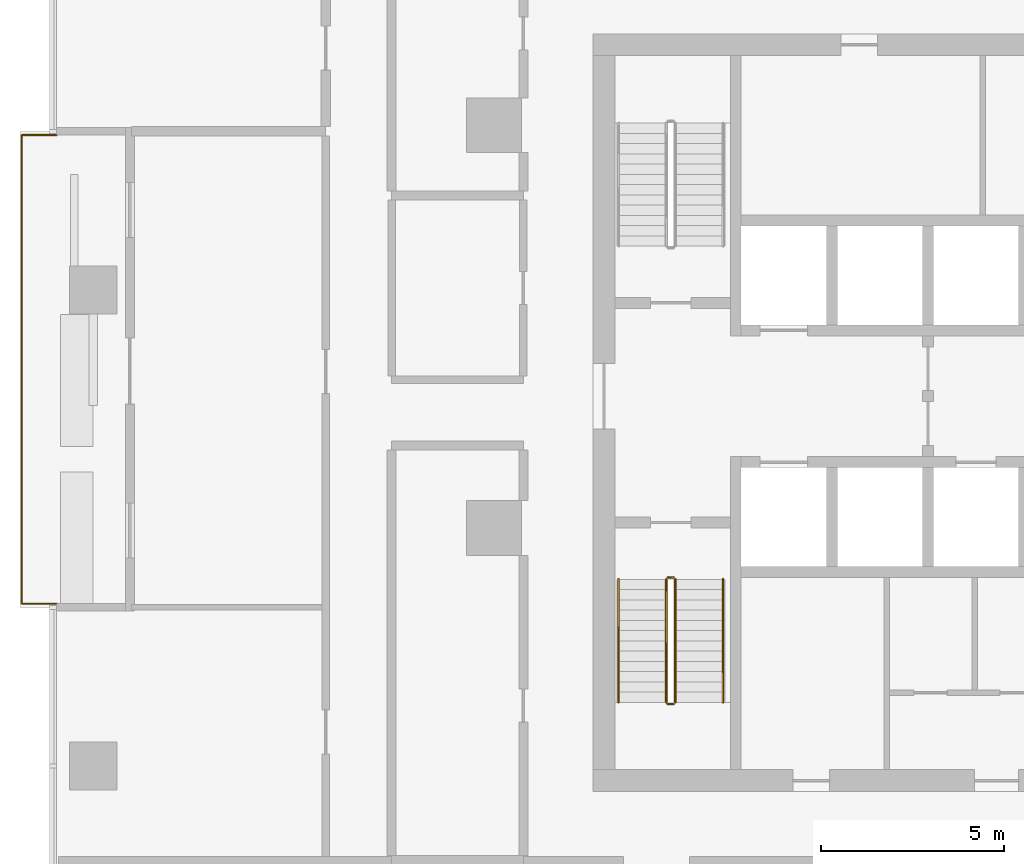
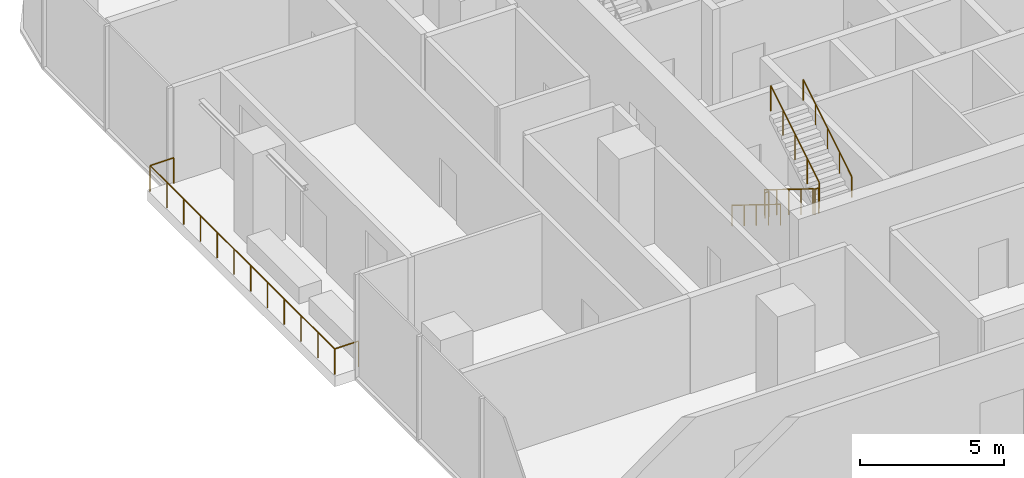
# One storey, part 12 of 15: 6 railings.
"""IFC4 building model written with IfcOpenShell, lengths in metres."""

from ifc_helpers import new_model, si_unit, direction, frame, origin, origin_2d, place, context, subcontext, project, spatial, circle, extrude, material, type_object, element, save


model = new_model("IFC4")

# Units and contexts
model_context = context("Model", 3, precision=1e-05, world=origin(), true_north=direction((0.0, 1.0)))
body_context = subcontext(model_context, "Body", "Model", "MODEL_VIEW")
ifc_project = project(units=[si_unit("LENGTHUNIT", "METRE"), si_unit("AREAUNIT", "SQUARE_METRE"), si_unit("VOLUMEUNIT", "CUBIC_METRE"), si_unit("PLANEANGLEUNIT", "RADIAN"), si_unit("MASSUNIT", "GRAM", prefix="KILO")], contexts=[model_context])

# Site, building, storey
site_placement = place(None, origin())
site = spatial("IfcSite", under=ifc_project, at=site_placement, CompositionType="ELEMENT")
building_placement = place(site_placement, origin())
building = spatial("IfcBuilding", under=site, at=building_placement, Name="Mopane Tessera Tower", CompositionType="ELEMENT")
storey_placement = place(building_placement, frame((0.0, 0.0, 103.60009765625)))
storey = spatial("IfcBuildingStorey", under=building, at=storey_placement, Name="L20", CompositionType="ELEMENT", Elevation=103.60009765625)

# Railings
ifc_material_1 = material(Name="Powder-coated steel balustrade", Category="steel")
railing_type_1 = type_object("IfcRailingType", Name="Escape stair guard 1100 mm", PredefinedType="GUARDRAIL", material=ifc_material_1)
railing_1_placement = place(storey_placement, frame((-12.39990234375, -1.39990234375, 0.173095703125)))
element("IfcRailing", 1, at=railing_1_placement, inside=storey, type_object=railing_type_1, Name="L20 ST1 stair guard 1", PredefinedType="GUARDRAIL", context=body_context, shape_type="SweptSolid", body=[
    extrude(circle(Radius=0.02392578125, at=origin_2d()), frame((0.0, 0.0, 1.076171875), z_axis=(0.0, -0.850623216509, 0.525775754039), x_axis=(1.0, 0.0, 0.0)), (0.0, 0.0, 1.0), 3.9501953125),
    extrude(circle(Radius=0.02392578125, at=origin_2d()), frame((0.0, -3.360107421875, 3.15283203125), z_axis=(0.705375805398, -0.708833529934, 0.0), x_axis=(0.708833529934, 0.705375805398, 0.0)), (0.0, 0.0, 1.0), 0.070556640625),
    extrude(circle(Radius=0.02392578125, at=origin_2d()), frame((0.0498046875, -3.41015625, 3.15283203125), z_axis=(1.0, 0.0, 0.0), x_axis=(0.0, 1.0, 0.0)), (0.0, 0.0, 1.0), 0.150146484375),
    extrude(circle(Radius=0.02099609375, at=origin_2d()), origin(), (0.0, 0.0, 1.0), 1.052001953125),
    extrude(circle(Radius=0.02099609375, at=origin_2d()), frame((0.0, -0.840087890625, 0.519287109375)), (0.0, 0.0, 1.0), 1.052001953125),
    extrude(circle(Radius=0.02099609375, at=origin_2d()), frame((0.0, -1.68017578125, 1.03857421875)), (0.0, 0.0, 1.0), 1.052001953125),
    extrude(circle(Radius=0.02099609375, at=origin_2d()), frame((0.0, -2.52001953125, 1.5576171875)), (0.0, 0.0, 1.0), 1.052001953125),
    extrude(circle(Radius=0.02099609375, at=origin_2d()), frame((0.0, -3.360107421875, 2.076904296875)), (0.0, 0.0, 1.0), 1.052001953125),
    extrude(circle(Radius=0.02099609375, at=origin_2d()), frame((0.0498046875, -3.41015625, 2.076904296875)), (0.0, 0.0, 1.0), 1.052001953125),
    extrude(circle(Radius=0.02099609375, at=origin_2d()), frame((0.199951171875, -3.41015625, 2.076904296875)), (0.0, 0.0, 1.0), 1.052001953125),
])
railing_2_placement = place(storey_placement, frame((-12.14990234375, -4.760009765625, 2.423095703125)))
element("IfcRailing", 2, at=railing_2_placement, inside=storey, type_object=railing_type_1, Name="L20 ST1 stair guard 2", PredefinedType="GUARDRAIL", context=body_context, shape_type="SweptSolid", body=[
    extrude(circle(Radius=0.02392578125, at=origin_2d()), frame((0.0, 0.0, 1.076171875), z_axis=(0.0, 0.850623216509, 0.525775754039), x_axis=(-1.0, 0.0, 0.0)), (0.0, 0.0, 1.0), 3.9501953125),
    extrude(circle(Radius=0.02099609375, at=origin_2d()), origin(), (0.0, 0.0, 1.0), 1.052001953125),
    extrude(circle(Radius=0.02099609375, at=origin_2d()), frame((0.0, 0.840087890625, 0.519287109375)), (0.0, 0.0, 1.0), 1.052001953125),
    extrude(circle(Radius=0.02099609375, at=origin_2d()), frame((0.0, 1.68017578125, 1.03857421875)), (0.0, 0.0, 1.0), 1.052001953125),
    extrude(circle(Radius=0.02099609375, at=origin_2d()), frame((0.0, 2.52001953125, 1.5576171875)), (0.0, 0.0, 1.0), 1.052001953125),
    extrude(circle(Radius=0.02099609375, at=origin_2d()), frame((0.0, 3.360107421875, 2.076904296875)), (0.0, 0.0, 1.0), 1.052001953125),
])
railing_3_placement = place(storey_placement, frame((-12.35009765625, -1.35009765625, 0.0)))
element("IfcRailing", 3, at=railing_3_placement, inside=storey, type_object=railing_type_1, Name="L20 ST1 stair guard 3", PredefinedType="GUARDRAIL", context=body_context, shape_type="SweptSolid", body=[
    extrude(circle(Radius=0.02392578125, at=origin_2d()), frame((0.0, 0.0, 1.076171875), z_axis=(1.0, 0.0, 0.0), x_axis=(0.0, 1.0, 0.0)), (0.0, 0.0, 1.0), 0.150146484375),
    extrude(circle(Radius=0.02099609375, at=origin_2d()), origin(), (0.0, 0.0, 1.0), 1.052001953125),
    extrude(circle(Radius=0.02099609375, at=origin_2d()), frame((0.150146484375, 0.0, 0.0)), (0.0, 0.0, 1.0), 1.052001953125),
])
ifc_material_2 = material(Name="Powder-coated steel balustrade", Category="steel")
railing_type_2 = type_object("IfcRailingType", Name="Escape stair handrail 900 mm", PredefinedType="HANDRAIL", material=ifc_material_2)
railing_4_placement = place(storey_placement, frame((-13.699951171875, -1.39990234375, 0.173095703125)))
element("IfcRailing", 4, at=railing_4_placement, inside=storey, type_object=railing_type_2, Name="L20 ST1 stair handrail 1", PredefinedType="HANDRAIL", context=body_context, shape_type="SweptSolid", body=[
    extrude(circle(Radius=0.02392578125, at=origin_2d()), frame((0.0, 0.0, 0.8759765625), z_axis=(0.0, -0.850623216509, 0.525775754039), x_axis=(1.0, 0.0, 0.0)), (0.0, 0.0, 1.0), 3.9501953125),
    extrude(circle(Radius=0.02099609375, at=origin_2d()), origin(), (0.0, 0.0, 1.0), 0.851806640625),
    extrude(circle(Radius=0.02099609375, at=origin_2d()), frame((0.0, -0.840087890625, 0.519287109375)), (0.0, 0.0, 1.0), 0.851806640625),
    extrude(circle(Radius=0.02099609375, at=origin_2d()), frame((0.0, -1.68017578125, 1.03857421875)), (0.0, 0.0, 1.0), 0.851806640625),
    extrude(circle(Radius=0.02099609375, at=origin_2d()), frame((0.0, -2.52001953125, 1.5576171875)), (0.0, 0.0, 1.0), 0.851806640625),
    extrude(circle(Radius=0.02099609375, at=origin_2d()), frame((0.0, -3.360107421875, 2.076904296875)), (0.0, 0.0, 1.0), 0.851806640625),
])
railing_5_placement = place(storey_placement, frame((-10.85009765625, -4.760009765625, 2.423095703125)))
element("IfcRailing", 5, at=railing_5_placement, inside=storey, type_object=railing_type_2, Name="L20 ST1 stair handrail 2", PredefinedType="HANDRAIL", context=body_context, shape_type="SweptSolid", body=[
    extrude(circle(Radius=0.02392578125, at=origin_2d()), frame((0.0, 0.0, 0.8759765625), z_axis=(0.0, 0.850623216509, 0.525775754039), x_axis=(-1.0, 0.0, 0.0)), (0.0, 0.0, 1.0), 3.9501953125),
    extrude(circle(Radius=0.02099609375, at=origin_2d()), origin(), (0.0, 0.0, 1.0), 0.851806640625),
    extrude(circle(Radius=0.02099609375, at=origin_2d()), frame((0.0, 0.840087890625, 0.519287109375)), (0.0, 0.0, 1.0), 0.851806640625),
    extrude(circle(Radius=0.02099609375, at=origin_2d()), frame((0.0, 1.68017578125, 1.03857421875)), (0.0, 0.0, 1.0), 0.851806640625),
    extrude(circle(Radius=0.02099609375, at=origin_2d()), frame((0.0, 2.52001953125, 1.5576171875)), (0.0, 0.0, 1.0), 0.851806640625),
    extrude(circle(Radius=0.02099609375, at=origin_2d()), frame((0.0, 3.360107421875, 2.076904296875)), (0.0, 0.0, 1.0), 0.851806640625),
])
ifc_material_3 = material(Name="Stainless steel S316", Category="steel")
railing_type_3 = type_object("IfcRailingType", Name="Terrace guard 1100", PredefinedType="GUARDRAIL", material=ifc_material_3)
railing_6_placement = place(storey_placement, frame((-29.050048828125, 10.7333984375, 0.0)))
element("IfcRailing", 6, at=railing_6_placement, inside=storey, type_object=railing_type_3, Name="e:nw:L20:N2:guard", PredefinedType="GUARDRAIL", context=body_context, shape_type="SweptSolid", body=[
    extrude(circle(Radius=0.02392578125, at=origin_2d()), frame((0.0, 0.0, 1.076171875), z_axis=(-1.0, 0.0, 0.0), x_axis=(0.0, -1.0, 0.0)), (0.0, 0.0, 1.0), 0.949951171875),
    extrude(circle(Radius=0.02392578125, at=origin_2d()), frame((-0.949951171875, 0.0, 1.076171875), z_axis=(0.0, -1.0, 0.0), x_axis=(1.0, 0.0, 0.0)), (0.0, 0.0, 1.0), 12.800048828125),
    extrude(circle(Radius=0.02392578125, at=origin_2d()), frame((-0.949951171875, -12.800048828125, 1.076171875), z_axis=(1.0, 0.0, 0.0), x_axis=(0.0, 1.0, 0.0)), (0.0, 0.0, 1.0), 0.949951171875),
    extrude(circle(Radius=0.02099609375, at=origin_2d()), origin(), (0.0, 0.0, 1.0), 1.052001953125),
    extrude(circle(Radius=0.02099609375, at=origin_2d()), frame((-0.949951171875, 0.0, 0.0)), (0.0, 0.0, 1.0), 1.052001953125),
    extrude(circle(Radius=0.02099609375, at=origin_2d()), frame((-0.949951171875, -1.16357421875, 0.0)), (0.0, 0.0, 1.0), 1.052001953125),
    extrude(circle(Radius=0.02099609375, at=origin_2d()), frame((-0.949951171875, -2.327392578125, 0.0)), (0.0, 0.0, 1.0), 1.052001953125),
    extrude(circle(Radius=0.02099609375, at=origin_2d()), frame((-0.949951171875, -3.490966796875, 0.0)), (0.0, 0.0, 1.0), 1.052001953125),
    extrude(circle(Radius=0.02099609375, at=origin_2d()), frame((-0.949951171875, -4.654541015625, 0.0)), (0.0, 0.0, 1.0), 1.052001953125),
    extrude(circle(Radius=0.02099609375, at=origin_2d()), frame((-0.949951171875, -5.818115234375, 0.0)), (0.0, 0.0, 1.0), 1.052001953125),
    extrude(circle(Radius=0.02099609375, at=origin_2d()), frame((-0.949951171875, -6.98193359375, 0.0)), (0.0, 0.0, 1.0), 1.052001953125),
    extrude(circle(Radius=0.02099609375, at=origin_2d()), frame((-0.949951171875, -8.1455078125, 0.0)), (0.0, 0.0, 1.0), 1.052001953125),
    extrude(circle(Radius=0.02099609375, at=origin_2d()), frame((-0.949951171875, -9.30908203125, 0.0)), (0.0, 0.0, 1.0), 1.052001953125),
    extrude(circle(Radius=0.02099609375, at=origin_2d()), frame((-0.949951171875, -10.47265625, 0.0)), (0.0, 0.0, 1.0), 1.052001953125),
    extrude(circle(Radius=0.02099609375, at=origin_2d()), frame((-0.949951171875, -11.636474609375, 0.0)), (0.0, 0.0, 1.0), 1.052001953125),
    extrude(circle(Radius=0.02099609375, at=origin_2d()), frame((-0.949951171875, -12.800048828125, 0.0)), (0.0, 0.0, 1.0), 1.052001953125),
    extrude(circle(Radius=0.02099609375, at=origin_2d()), frame((0.0, -12.800048828125, 0.0)), (0.0, 0.0, 1.0), 1.052001953125),
])

save(model, "model.ifc")
